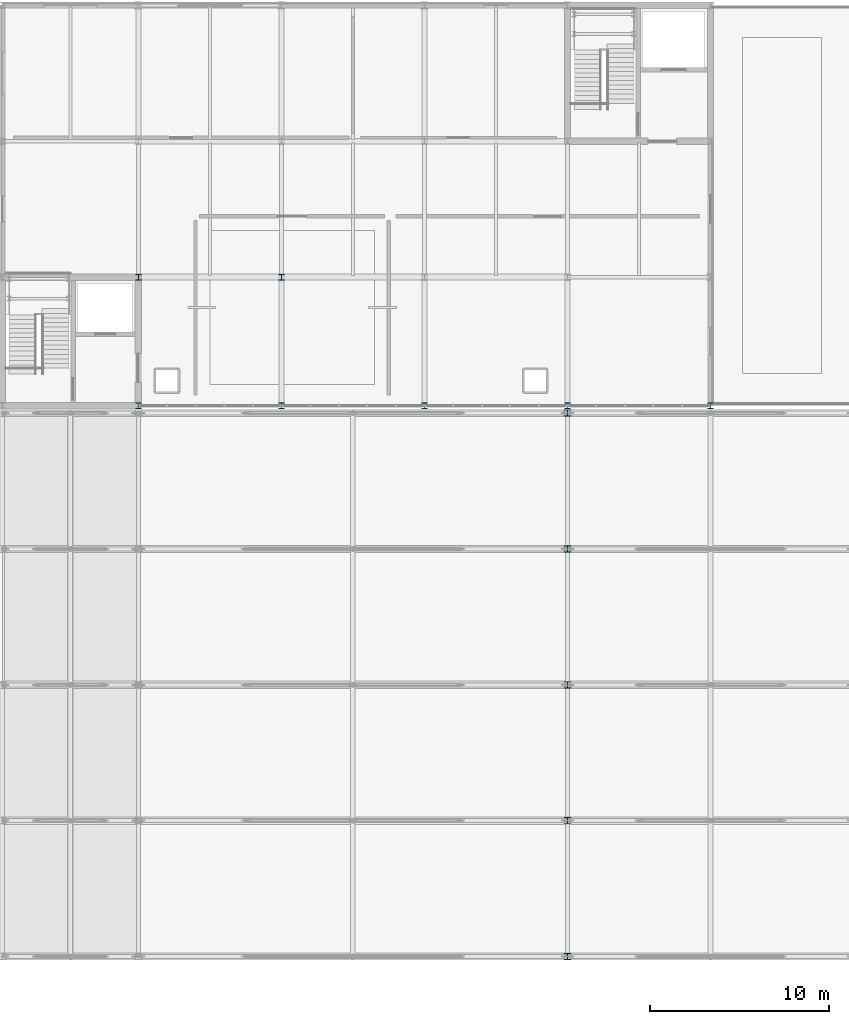
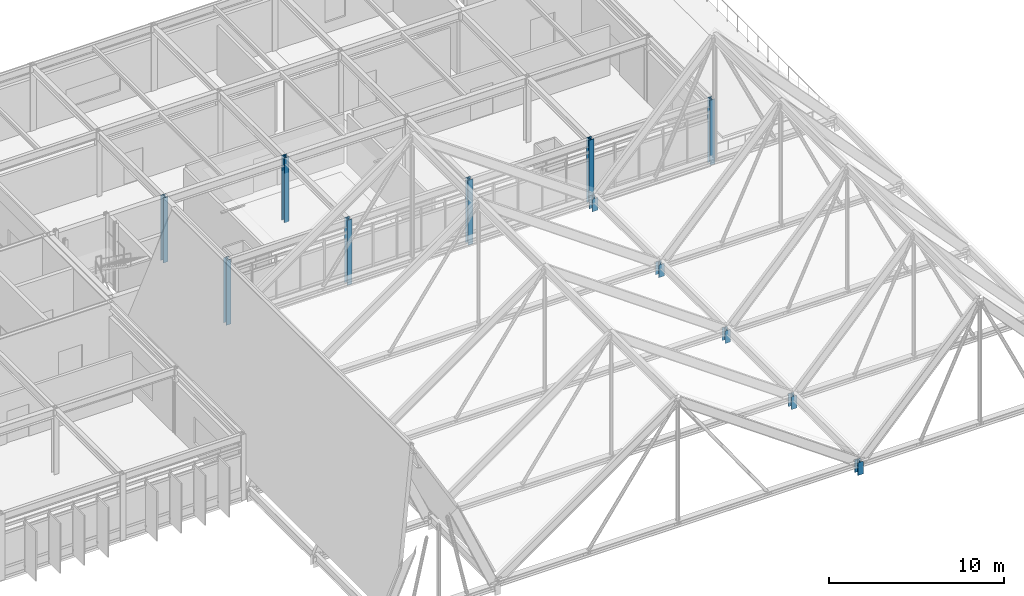
# One storey, part 14 of 100: 12 columns.
"""IFC4 building model written with IfcOpenShell, lengths in metres."""

from ifc_helpers import new_model, si_unit, direction, frame, origin, origin_2d, place, context, subcontext, project, spatial, i_section, extrude, material, material_profile, profile_set, type_object, element, save


model = new_model("IFC4")

# Units and contexts
model_context = context("Model", 3, precision=1e-05, world=origin(), true_north=direction((0.0, 1.0)))
body_context = subcontext(model_context, "Body", "Model", "MODEL_VIEW")
ifc_project = project(units=[si_unit("LENGTHUNIT", "METRE"), si_unit("AREAUNIT", "SQUARE_METRE"), si_unit("VOLUMEUNIT", "CUBIC_METRE"), si_unit("PLANEANGLEUNIT", "RADIAN"), si_unit("MASSUNIT", "GRAM", prefix="KILO")], contexts=[model_context])

# Site, building, storey
site_placement = place(None, origin())
site = spatial("IfcSite", under=ifc_project, at=site_placement, CompositionType="ELEMENT")
building_placement = place(site_placement, origin())
building = spatial("IfcBuilding", under=site, at=building_placement, Name="Zulena Civic Courthouse", CompositionType="ELEMENT")
storey_placement = place(building_placement, frame((0.0, 0.0, 20.39990234375)))
storey = spatial("IfcBuildingStorey", under=building, at=storey_placement, Name="L04", CompositionType="ELEMENT", Elevation=20.39990234375)

# Columns
ifc_material = material(Name="Steel ASTM A992 Grade 50", Category="steel")
ifc_material_profile_1 = material_profile(ifc_material, i_section(OverallWidth=0.31298828125, OverallDepth=0.3330078125, WebThickness=0.01806640625, FlangeThickness=0.0283203125, FilletRadius=0.01513671875, at=origin_2d()), Name="W12X120")
ifc_profile_set_1 = profile_set([ifc_material_profile_1], Name="Steel ASTM A992 Grade 50")
column_type_1 = type_object("IfcColumnType", Name="Col_W12X120", PredefinedType="COLUMN", material=ifc_profile_set_1)
for number, where, z_axis, x_axis, name in (
    (1, (132.0, 38.0, 0.0), (0.0, 0.0, 1.0), (1.0, 0.0, 0.0), "col:V3:L04:132.0:38.0"),
    (2, (140.0, 38.0, 0.0), (0.0, 0.0, 1.0), (1.0, 0.0, 0.0), "col:V3:L04:140.0:38.0"),
):
    element("IfcColumn", number, at=place(storey_placement, frame(where, z_axis=z_axis, x_axis=x_axis)), inside=storey, type_object=column_type_1, Name=name, PredefinedType="COLUMN", context=body_context, shape_type="SweptSolid", body=[
        extrude(i_section(OverallWidth=0.31298828125, OverallDepth=0.3330078125, WebThickness=0.01806640625, FlangeThickness=0.0283203125, FilletRadius=0.01513671875, at=origin_2d()), origin(), (0.0, 0.0, 1.0), 4.545166015625),
    ])
ifc_material_profile_2 = material_profile(ifc_material, i_section(OverallWidth=0.30908203125, OverallDepth=0.322998046875, WebThickness=0.013916015625, FlangeThickness=0.02294921875, FilletRadius=0.01513671875, at=origin_2d()), Name="W12X96")
ifc_profile_set_2 = profile_set([ifc_material_profile_2], Name="Steel ASTM A992 Grade 50")
column_type_2 = type_object("IfcColumnType", Name="Col_W12X96", PredefinedType="COLUMN", material=ifc_profile_set_2)
for number, where, z_axis, x_axis, name in (
    (3, (132.0, 30.800048828125, 0.0), (0.0, 0.0, 1.0), (1.0, 0.0, 0.0), "col:V3:L04:132.0:30.8"),
    (4, (140.0, 30.800048828125, 0.0), (0.0, 0.0, 1.0), (1.0, 0.0, 0.0), "col:V3:L04:140.0:30.8"),
    (5, (148.0, 30.800048828125, 0.0), (0.0, 0.0, 1.0), (1.0, 0.0, 0.0), "col:V3:L04:148.0:30.8"),
    (6, (156.0, 30.800048828125, 0.0), (0.0, 0.0, 1.0), (1.0, 0.0, 0.0), "col:V3:L04:156.0:30.8"),
    (7, (164.0, 30.800048828125, 0.0), (0.0, 0.0, 1.0), (1.0, 0.0, 0.0), "col:V3:L04:164.0:30.8"),
):
    element("IfcColumn", number, at=place(storey_placement, frame(where, z_axis=z_axis, x_axis=x_axis)), inside=storey, type_object=column_type_2, Name=name, PredefinedType="COLUMN", context=body_context, shape_type="SweptSolid", body=[
        extrude(i_section(OverallWidth=0.30908203125, OverallDepth=0.322998046875, WebThickness=0.013916015625, FlangeThickness=0.02294921875, FilletRadius=0.01513671875, at=origin_2d()), origin(), (0.0, 0.0, 1.0), 4.545166015625),
    ])
ifc_material_profile_3 = material_profile(ifc_material, i_section(OverallWidth=0.373046875, OverallDepth=0.367919921875, WebThickness=0.014892578125, FlangeThickness=0.02392578125, FilletRadius=0.01513671875, at=origin_2d()), Name="W14X120")
ifc_profile_set_3 = profile_set([ifc_material_profile_3], Name="Steel ASTM A992 Grade 50")
column_type_3 = type_object("IfcColumnType", Name="Col_W14X120", PredefinedType="COLUMN", material=ifc_profile_set_3)
for number, where, z_axis, x_axis, name in (
    (8, (156.0, 0.0, -0.19482421875), (0.0, 0.0, 1.0), (1.0, 0.0, 0.0), "col:foldV:L04:156.0:0.0"),
    (9, (156.0, 7.60009765625, -0.19482421875), (0.0, 0.0, 1.0), (1.0, 0.0, 0.0), "col:foldV:L04:156.0:7.6"),
    (10, (156.0, 15.199951171875, -0.19482421875), (0.0, 0.0, 1.0), (1.0, 0.0, 0.0), "col:foldV:L04:156.0:15.2"),
    (11, (156.0, 22.800048828125, -0.19482421875), (0.0, 0.0, 1.0), (1.0, 0.0, 0.0), "col:foldV:L04:156.0:22.8"),
    (12, (156.0, 30.39990234375, -0.19482421875), (0.0, 0.0, 1.0), (1.0, 0.0, 0.0), "col:foldV:L04:156.0:30.4"),
):
    element("IfcColumn", number, at=place(storey_placement, frame(where, z_axis=z_axis, x_axis=x_axis)), inside=storey, type_object=column_type_3, Name=name, PredefinedType="COLUMN", context=body_context, shape_type="SweptSolid", body=[
        extrude(i_section(OverallWidth=0.373046875, OverallDepth=0.367919921875, WebThickness=0.014892578125, FlangeThickness=0.02392578125, FilletRadius=0.01513671875, at=origin_2d()), origin(), (0.0, 0.0, 1.0), 0.891357421875),
    ])

save(model, "model.ifc")
